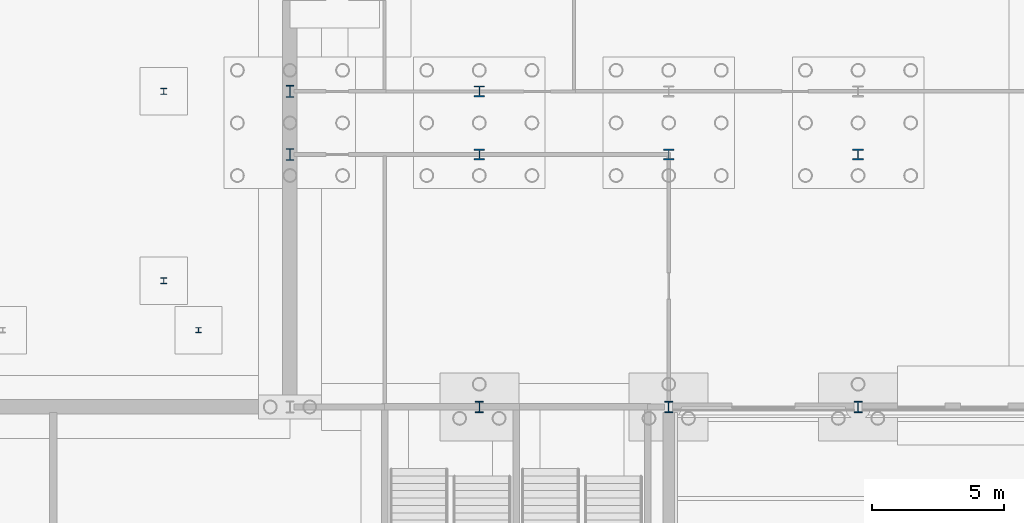
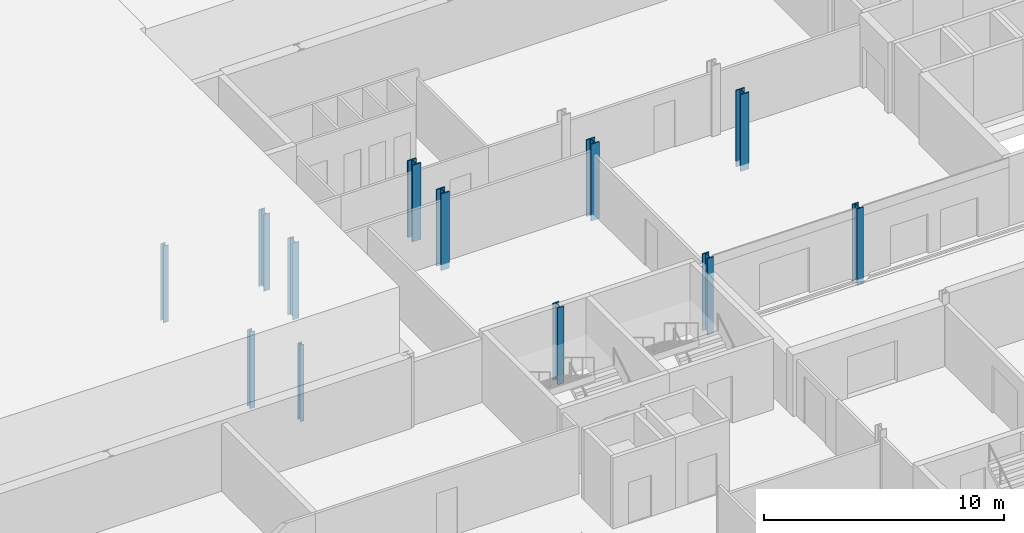
# One storey, part 58 of 148: 12 columns.
"""IFC4 building model written with IfcOpenShell, lengths in metres."""

from ifc_helpers import new_model, si_unit, direction, frame, origin, origin_2d, place, context, subcontext, project, spatial, i_section, extrude, material, material_profile, profile_set, type_object, element, save


model = new_model("IFC4")

# Units and contexts
model_context = context("Model", 3, precision=1e-05, world=origin(), true_north=direction((0.0, 1.0)))
body_context = subcontext(model_context, "Body", "Model", "MODEL_VIEW")
ifc_project = project(units=[si_unit("LENGTHUNIT", "METRE"), si_unit("AREAUNIT", "SQUARE_METRE"), si_unit("VOLUMEUNIT", "CUBIC_METRE"), si_unit("PLANEANGLEUNIT", "RADIAN"), si_unit("MASSUNIT", "GRAM", prefix="KILO")], contexts=[model_context])

# Site, building, storey
site_placement = place(None, origin())
site = spatial("IfcSite", under=ifc_project, at=site_placement, CompositionType="ELEMENT")
building_placement = place(site_placement, origin())
building = spatial("IfcBuilding", under=site, at=building_placement, Name="Kupolbacken Congress Centre", CompositionType="ELEMENT")
storey_placement = place(building_placement, origin())
storey = spatial("IfcBuildingStorey", under=building, at=storey_placement, Name="L00", CompositionType="ELEMENT", Elevation=0.0)

# Columns
ifc_material_1 = material(Name="Steel S355", Category="steel")
ifc_material_profile_1 = material_profile(ifc_material_1, i_section(OverallWidth=0.408935546875, OverallDepth=0.425048828125, WebThickness=0.03271484375, FlangeThickness=0.052490234375, FilletRadius=0.014892578125, at=origin_2d()), Name="HD 400 x 421")
ifc_profile_set_1 = profile_set([ifc_material_profile_1], Name="Steel S355")
column_type_1 = type_object("IfcColumnType", Name="C01 column HD 400 x 421", PredefinedType="COLUMN", material=ifc_profile_set_1)
for number, where, z_axis, x_axis, name in (
    (1, (72.0, 132.0, -0.300048828125), (0.0, 0.0, 1.0), (1.0, 0.0, 0.0), "S/col/C-T-11U+2400/L00"),
    (2, (72.0, 134.39990234375, -0.300048828125), (0.0, 0.0, 1.0), (1.0, 0.0, 0.0), "S/col/C-T-11U+4800/L00"),
    (3, (79.199951171875, 132.0, -0.300048828125), (0.0, 0.0, 1.0), (1.0, 0.0, 0.0), "S/col/C-T-12U+2400/L00"),
    (4, (86.39990234375, 132.0, -0.300048828125), (0.0, 0.0, 1.0), (1.0, 0.0, 0.0), "S/col/C-T-13U+2400/L00"),
):
    element("IfcColumn", number, at=place(storey_placement, frame(where, z_axis=z_axis, x_axis=x_axis)), inside=storey, type_object=column_type_1, Name=name, PredefinedType="COLUMN", context=body_context, shape_type="SweptSolid", body=[
        extrude(i_section(OverallWidth=0.408935546875, OverallDepth=0.425048828125, WebThickness=0.03271484375, FlangeThickness=0.052490234375, FilletRadius=0.014892578125, at=origin_2d()), origin(), (0.0, 0.0, 1.0), 3.900146484375),
    ])
ifc_material_2 = material(Name="Steel S355", Category="steel")
ifc_material_profile_2 = material_profile(ifc_material_2, i_section(OverallWidth=0.306884765625, OverallDepth=0.431884765625, WebThickness=0.02099609375, FlangeThickness=0.0400390625, FilletRadius=0.027099609375, at=origin_2d()), Name="HEM 400")
ifc_profile_set_2 = profile_set([ifc_material_profile_2], Name="Steel S355")
column_type_2 = type_object("IfcColumnType", Name="C02 column HEM 400", PredefinedType="COLUMN", material=ifc_profile_set_2)
for number, where, z_axis, x_axis, name in (
    (5, (72.0, 122.39990234375, -0.300048828125), (0.0, 0.0, 1.0), (1.0, 0.0, 0.0), "S/col/C-T-11T/L00"),
    (6, (79.199951171875, 122.39990234375, -0.300048828125), (0.0, 0.0, 1.0), (1.0, 0.0, 0.0), "S/col/C-T-12T/L00"),
    (7, (86.39990234375, 122.39990234375, -0.300048828125), (0.0, 0.0, 1.0), (1.0, 0.0, 0.0), "S/col/C-T-13T/L00"),
):
    element("IfcColumn", number, at=place(storey_placement, frame(where, z_axis=z_axis, x_axis=x_axis)), inside=storey, type_object=column_type_2, Name=name, PredefinedType="COLUMN", context=body_context, shape_type="SweptSolid", body=[
        extrude(i_section(OverallWidth=0.306884765625, OverallDepth=0.431884765625, WebThickness=0.02099609375, FlangeThickness=0.0400390625, FilletRadius=0.027099609375, at=origin_2d()), origin(), (0.0, 0.0, 1.0), 3.900146484375),
    ])
ifc_material_3 = material(Name="Steel S355", Category="steel")
ifc_material_profile_3 = material_profile(ifc_material_3, i_section(OverallWidth=0.300048828125, OverallDepth=0.449951171875, WebThickness=0.013916015625, FlangeThickness=0.02587890625, FilletRadius=0.027099609375, at=origin_2d()), Name="HEB 450")
ifc_profile_set_3 = profile_set([ifc_material_profile_3], Name="Steel S355")
column_type_3 = type_object("IfcColumnType", Name="C03 column HEB 450", PredefinedType="COLUMN", material=ifc_profile_set_3)
for number, where, z_axis, x_axis, name in (
    (8, (64.800048828125, 132.0, -0.300048828125), (0.0, 0.0, 1.0), (1.0, 0.0, 0.0), "S/col/C-T-10U+2400/L00"),
    (9, (64.800048828125, 134.39990234375, -0.300048828125), (0.0, 0.0, 1.0), (1.0, 0.0, 0.0), "S/col/C-T-10U+4800/L00"),
):
    element("IfcColumn", number, at=place(storey_placement, frame(where, z_axis=z_axis, x_axis=x_axis)), inside=storey, type_object=column_type_3, Name=name, PredefinedType="COLUMN", context=body_context, shape_type="SweptSolid", body=[
        extrude(i_section(OverallWidth=0.300048828125, OverallDepth=0.449951171875, WebThickness=0.013916015625, FlangeThickness=0.02587890625, FilletRadius=0.027099609375, at=origin_2d()), origin(), (0.0, 0.0, 1.0), 3.900146484375),
    ])
ifc_material_4 = material(Name="Steel S355", Category="steel")
ifc_material_profile_4 = material_profile(ifc_material_4, i_section(OverallWidth=0.239990234375, OverallDepth=0.22998046875, WebThickness=0.007568359375, FlangeThickness=0.011962890625, FilletRadius=0.02099609375, at=origin_2d()), Name="HEA 240")
ifc_profile_set_4 = profile_set([ifc_material_profile_4], Name="Steel S355")
column_type_4 = type_object("IfcColumnType", Name="C10 column HEA 240", PredefinedType="COLUMN", material=ifc_profile_set_4)
for number, where, z_axis, x_axis, name in (
    (10, (60.0, 127.199951171875, -0.300048828125), (0.0, 0.0, 1.0), (1.0, 0.0, 0.0), "E/T/portico/P/col60/L00"),
    (11, (60.0, 134.39990234375, -0.300048828125), (0.0, 0.0, 1.0), (1.0, 0.0, 0.0), "E/T/portico/W/col134.4/L00"),
):
    element("IfcColumn", number, at=place(storey_placement, frame(where, z_axis=z_axis, x_axis=x_axis)), inside=storey, type_object=column_type_4, Name=name, PredefinedType="COLUMN", context=body_context, shape_type="SweptSolid", body=[
        extrude(i_section(OverallWidth=0.239990234375, OverallDepth=0.22998046875, WebThickness=0.007568359375, FlangeThickness=0.011962890625, FilletRadius=0.02099609375, at=origin_2d()), origin(), (0.0, 0.0, 1.0), 3.900146484375),
    ])
ifc_material_5 = material(Name="Steel S355", Category="steel")
ifc_material_profile_5 = material_profile(ifc_material_5, i_section(OverallWidth=0.199951171875, OverallDepth=0.199951171875, WebThickness=0.009033203125, FlangeThickness=0.014892578125, FilletRadius=0.01806640625, at=origin_2d()), Name="HEB 200")
ifc_profile_set_5 = profile_set([ifc_material_profile_5], Name="Steel S355")
column_type_5 = type_object("IfcColumnType", Name="C11 column HEB 200", PredefinedType="COLUMN", material=ifc_profile_set_5)
column_placement = place(storey_placement, frame((61.320068359375, 125.320068359375, -0.300048828125), z_axis=(0.0, 0.0, 1.0), x_axis=(1.0, 0.0, 0.0)))
element("IfcColumn", 12, at=column_placement, inside=storey, type_object=column_type_5, Name="E/canopy/HEN3/col1/L00", PredefinedType="COLUMN", context=body_context, shape_type="SweptSolid", body=[
    extrude(i_section(OverallWidth=0.199951171875, OverallDepth=0.199951171875, WebThickness=0.009033203125, FlangeThickness=0.014892578125, FilletRadius=0.01806640625, at=origin_2d()), origin(), (0.0, 0.0, 1.0), 3.900146484375),
])

save(model, "model.ifc")
